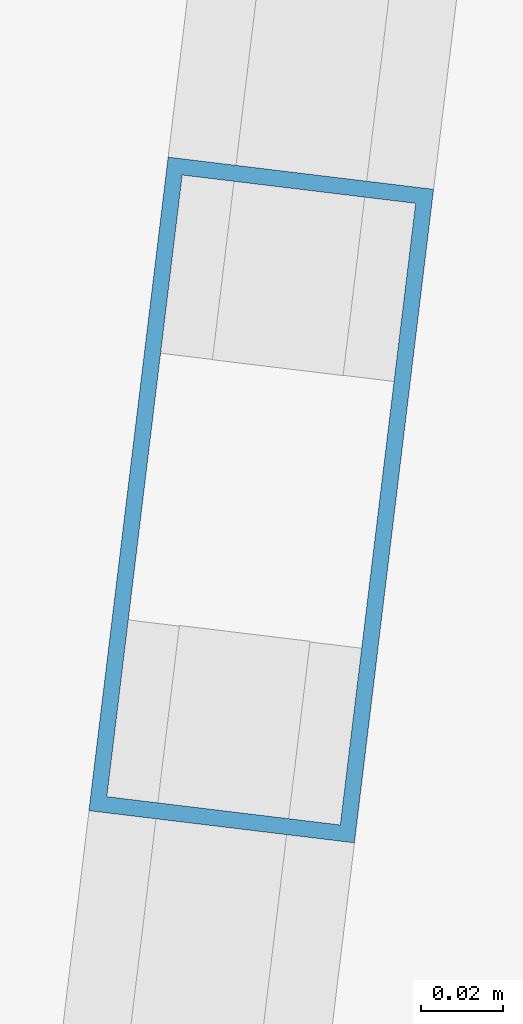
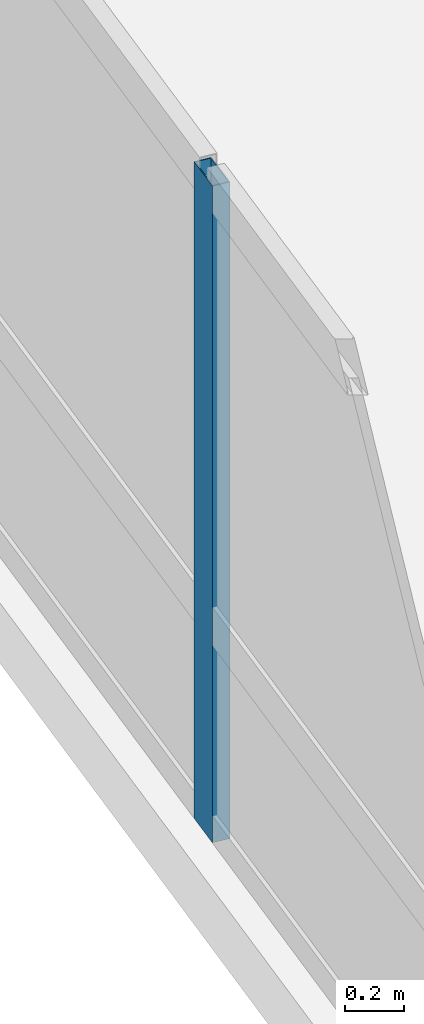
# One storey, part 4 of 25: 1 member, 1 element without a shape of its own.
"""IFC4 building model written with IfcOpenShell, lengths in metres."""

from ifc_helpers import new_model, si_unit, direction, frame, origin, origin_2d, place, context, subcontext, project, spatial, hollow_rectangle, extrude, material, layer, layer_set, material_profile, profile_set, type_object, element, aggregate, save


model = new_model("IFC4")

# Units and contexts
model_context = context("Model", 3, precision=1e-05, world=origin(), true_north=direction((0.0, 1.0)))
body_context = subcontext(model_context, "Body", "Model", "MODEL_VIEW")
ifc_project = project(units=[si_unit("LENGTHUNIT", "METRE"), si_unit("AREAUNIT", "SQUARE_METRE"), si_unit("VOLUMEUNIT", "CUBIC_METRE"), si_unit("PLANEANGLEUNIT", "RADIAN"), si_unit("MASSUNIT", "GRAM", prefix="KILO")], contexts=[model_context])

# Site, building, storey
site_placement = place(None, origin())
site = spatial("IfcSite", under=ifc_project, at=site_placement, CompositionType="ELEMENT")
building_placement = place(site_placement, origin())
building = spatial("IfcBuilding", under=site, at=building_placement, Name="Varnelok Gate Tower", CompositionType="ELEMENT")
storey_placement = place(building_placement, frame((0.0, 0.0, 132.800048828125)))
storey = spatial("IfcBuildingStorey", under=building, at=storey_placement, Name="L33", CompositionType="ELEMENT", Elevation=132.800048828125)

# Curtain wall, member
ifc_material = material(Name="Anodized Aluminum Alloy 6063-T6", Category="aluminium")
ifc_layer = layer(ifc_material, 0.179931640625)
ifc_layer_set = layer_set([ifc_layer], Name="Anodized Aluminum Alloy 6063-T6")
curtain_wall_type = type_object("IfcCurtainWallType", Name="CW3-HOTEL-VISION", PredefinedType="USERDEFINED", material=ifc_layer_set)
curtain_wall_placement = place(storey_placement, origin())
curtain_wall = element("IfcCurtainWall", 1, at=curtain_wall_placement, inside=storey, type_object=curtain_wall_type, Name="L33 West End Vision Curtain Wall", ObjectType="UNITISED CURTAIN WALL", PredefinedType="USERDEFINED")
ifc_material_profile = material_profile(ifc_material, hollow_rectangle(XDim=0.06494140625, YDim=0.159912109375, WallThickness=0.00390625, at=origin_2d()), Name="ALU160X65X4")
ifc_profile_set = profile_set([ifc_material_profile], Name="Anodized Aluminum Alloy 6063-T6")
member_type = type_object("IfcMemberType", Name="CW-MULL-160", PredefinedType="MULLION", material=ifc_profile_set)
member_placement = place(storey_placement, frame((1.109619140625, 19.03857421875, 0.0), z_axis=(0.0, 0.0, 1.0), x_axis=(-0.99273188146, 0.120347046212, 0.0)))
member = element("IfcMember", 2, at=member_placement, type_object=member_type, Name="CW3 mullion 2", PredefinedType="MULLION", context=body_context, shape_type="SweptSolid", body=[
    extrude(hollow_rectangle(XDim=0.06494140625, YDim=0.159912109375, WallThickness=0.00390625, at=origin_2d()), origin(), (0.0, 0.0, 1.0), 2.72998046875),
])
aggregate(curtain_wall, [member])

save(model, "model.ifc")
